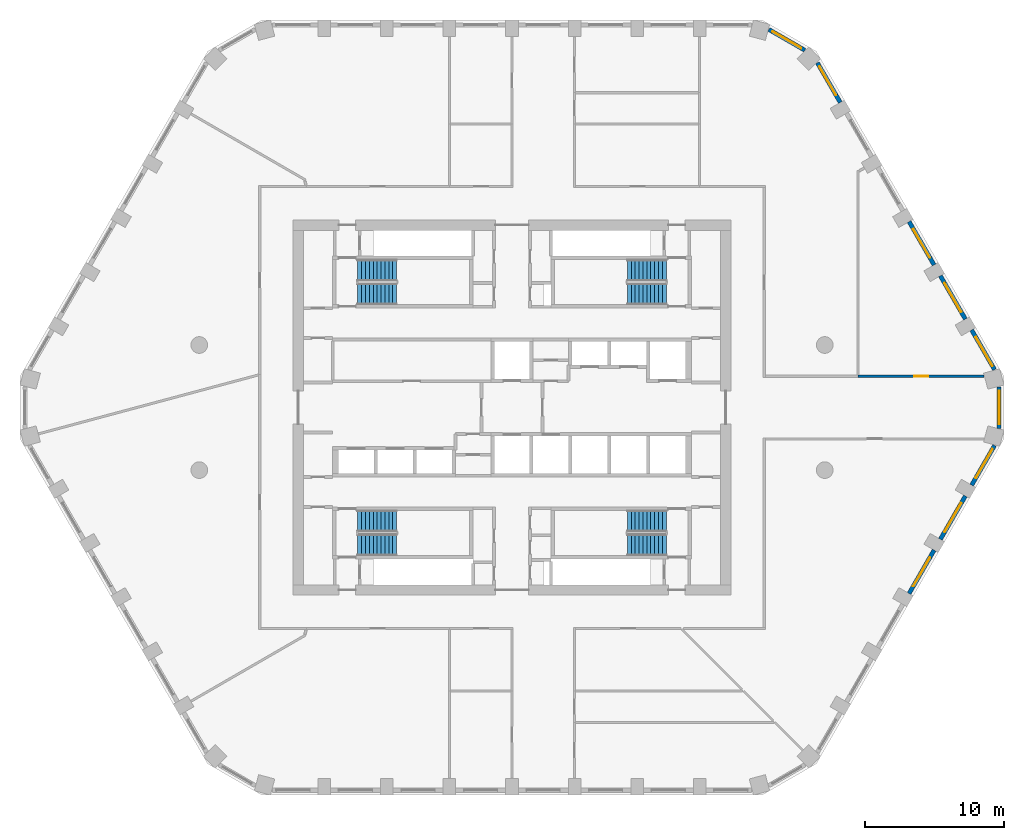
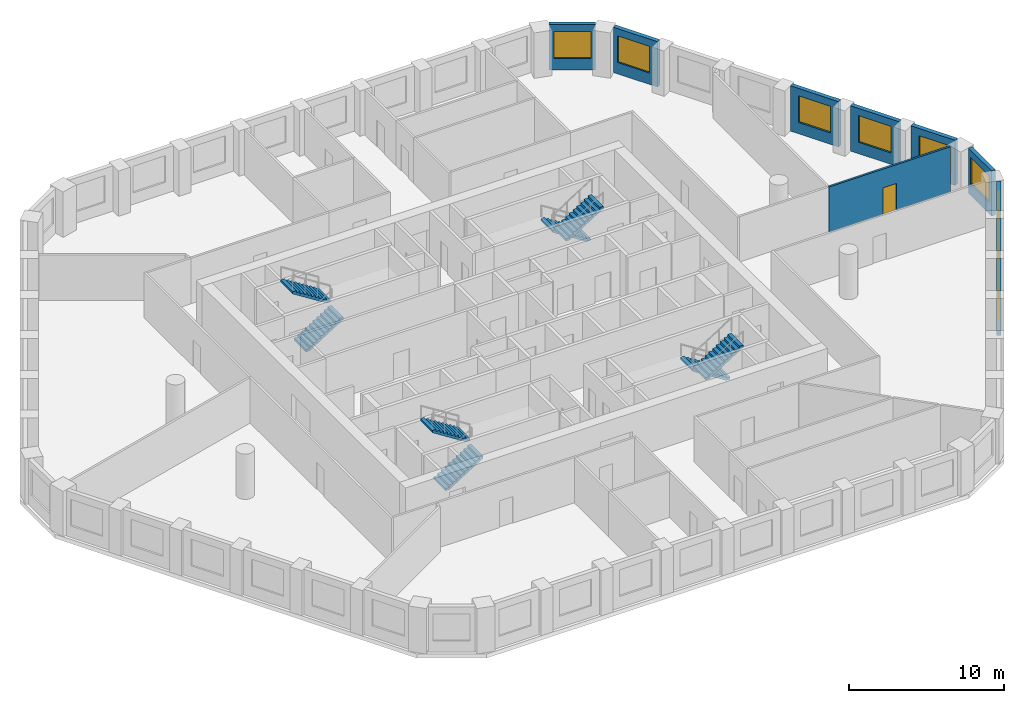
# One storey, part 8 of 9: 10 walls, 9 windows, 8 stair flights, 1 door, 10 openings, 4 elements without a shape of their own.
"""IFC4 building model written with IfcOpenShell, lengths in metres."""

from ifc_helpers import new_model, si_unit, direction, frame, frame_2d, origin, place, context, subcontext, project, spatial, polyline, rectangle, outline, extrude, material, layer, layer_set, type_object, element, fill, aggregate, save


model = new_model("IFC4")

# Units and contexts
model_context = context("Model", 3, precision=1e-05, world=origin(), true_north=direction((0.0, 1.0)))
body_context = subcontext(model_context, "Body", "Model", "MODEL_VIEW")
ifc_project = project(units=[si_unit("LENGTHUNIT", "METRE"), si_unit("AREAUNIT", "SQUARE_METRE"), si_unit("VOLUMEUNIT", "CUBIC_METRE"), si_unit("PLANEANGLEUNIT", "RADIAN"), si_unit("MASSUNIT", "GRAM", prefix="KILO")], contexts=[model_context])

# Site, building, storey
site_placement = place(None, origin())
site = spatial("IfcSite", under=ifc_project, at=site_placement, CompositionType="ELEMENT")
building_placement = place(site_placement, origin())
building = spatial("IfcBuilding", under=site, at=building_placement, Name="Dhurran Vertical Campus", CompositionType="ELEMENT")
storey_placement = place(building_placement, frame((0.0, 0.0, 171.60009765625)))
storey = spatial("IfcBuildingStorey", under=building, at=storey_placement, Name="L42", CompositionType="ELEMENT", Elevation=171.60009765625)

# Wall, opening, window
ifc_material_1 = material(Name="Precast concrete C50/60", Category="concrete")
ifc_layer_1 = layer(ifc_material_1, 0.300048828125)
ifc_layer_set_1 = layer_set([ifc_layer_1], Name="Precast concrete C50/60")
wall_type_1 = type_object("IfcWallType", Name="Precast spandrel wall 300", PredefinedType="SOLIDWALL", material=ifc_layer_set_1)
wall_1_placement = place(storey_placement, frame((28.5693359375, -13.376220703125, 0.0), z_axis=(0.0, 0.0, 1.0), x_axis=(0.500027802648, 0.866009351323, 0.0)))
wall_1 = element("IfcWall", 1, at=wall_1_placement, inside=storey, type_object=wall_type_1, Name="EW1 L42.12", PredefinedType="SOLIDWALL", context=body_context, shape_type="SweptSolid", body=[
    extrude(rectangle(XDim=3.598876953125, YDim=0.300048828125, at=frame_2d((1.79931640625, 0.0))), origin(), (0.0, 0.0, 1.0), 3.574951171875),
])
opening_1_placement = place(wall_1_placement, frame((0.599609375, 0.0, 0.89990234375)))
opening_1 = element("IfcOpeningElement", 2, at=opening_1_placement, cuts=wall_1, Name="Opening WT1", PredefinedType="OPENING", context=body_context, shape_type="SweptSolid", body=[
    extrude(rectangle(XDim=2.39990234375, YDim=2.10009765625, at=frame_2d((1.199951171875, 1.050048828125))), frame((0.0, 0.159912109375, 0.0), z_axis=(0.0, -1.0, 0.0), x_axis=(1.0, 0.0, 0.0)), (0.0, 0.0, 1.0), 0.320068359375),
])
ifc_material_2 = material(Name="Aluminium frame with solar-control glass", Category="aluminium")
window_type = type_object("IfcWindowType", Name="Punched window 2400 x 2100", PartitioningType="SINGLE_PANEL", PredefinedType="WINDOW", material=ifc_material_2)
window_1_placement = place(opening_1_placement, origin())
window_1 = element("IfcWindow", 3, at=window_1_placement, inside=storey, type_object=window_type, Name="WT1 L42.12", OverallHeight=2.10009765625, OverallWidth=2.39990234375, PartitioningType="SINGLE_PANEL", PredefinedType="WINDOW", context=body_context, shape_type="SweptSolid", body=[
    extrude(rectangle(XDim=2.39990234375, YDim=2.10009765625, at=frame_2d((1.199951171875, 1.050048828125))), frame((0.0, 0.030029296875, 0.0), z_axis=(0.0, -1.0, 0.0), x_axis=(1.0, 0.0, 0.0)), (0.0, 0.0, 1.0), 0.06005859375),
])
fill(opening_1, window_1)

wall_2_placement = place(storey_placement, frame((30.8193359375, -9.47900390625, 0.0), z_axis=(0.0, 0.0, 1.0), x_axis=(0.500027802648, 0.866009351323, 0.0)))
wall_2 = element("IfcWall", 4, at=wall_2_placement, inside=storey, type_object=wall_type_1, Name="EW1 L42.13", PredefinedType="SOLIDWALL", context=body_context, shape_type="SweptSolid", body=[
    extrude(rectangle(XDim=3.598876953125, YDim=0.300048828125, at=frame_2d((1.79931640625, 0.0))), origin(), (0.0, 0.0, 1.0), 3.574951171875),
])
opening_2_placement = place(wall_2_placement, frame((0.599609375, 0.0, 0.89990234375)))
opening_2 = element("IfcOpeningElement", 5, at=opening_2_placement, cuts=wall_2, Name="Opening WT1", PredefinedType="OPENING", context=body_context, shape_type="SweptSolid", body=[
    extrude(rectangle(XDim=2.39990234375, YDim=2.10009765625, at=frame_2d((1.199951171875, 1.050048828125))), frame((0.0, 0.159912109375, 0.0), z_axis=(0.0, -1.0, 0.0), x_axis=(1.0, 0.0, 0.0)), (0.0, 0.0, 1.0), 0.320068359375),
])
window_2_placement = place(opening_2_placement, origin())
window_2 = element("IfcWindow", 6, at=window_2_placement, inside=storey, type_object=window_type, Name="WT1 L42.13", OverallHeight=2.10009765625, OverallWidth=2.39990234375, PartitioningType="SINGLE_PANEL", PredefinedType="WINDOW", context=body_context, shape_type="SweptSolid", body=[
    extrude(rectangle(XDim=2.39990234375, YDim=2.10009765625, at=frame_2d((1.199951171875, 1.050048828125))), frame((0.0, 0.030029296875, 0.0), z_axis=(0.0, -1.0, 0.0), x_axis=(1.0, 0.0, 0.0)), (0.0, 0.0, 1.0), 0.06005859375),
])
fill(opening_2, window_2)

wall_3_placement = place(storey_placement, frame((33.0693359375, -5.58203125, 0.0), z_axis=(0.0, 0.0, 1.0), x_axis=(0.499981217486, 0.866036247602, 0.0)))
wall_3 = element("IfcWall", 7, at=wall_3_placement, inside=storey, type_object=wall_type_1, Name="EW1 L42.14", PredefinedType="SOLIDWALL", context=body_context, shape_type="SweptSolid", body=[
    extrude(rectangle(XDim=3.294189453125, YDim=0.300048828125, at=frame_2d((1.64697265625, 0.0))), origin(), (0.0, 0.0, 1.0), 3.574951171875),
])
opening_3_placement = place(wall_3_placement, frame((0.599609375, 0.0, 0.89990234375)))
opening_3 = element("IfcOpeningElement", 8, at=opening_3_placement, cuts=wall_3, Name="Opening WT1", PredefinedType="OPENING", context=body_context, shape_type="SweptSolid", body=[
    extrude(rectangle(XDim=2.39990234375, YDim=2.10009765625, at=frame_2d((1.199951171875, 1.050048828125))), frame((0.0, 0.159912109375, 0.0), z_axis=(0.0, -1.0, 0.0), x_axis=(1.0, 0.0, 0.0)), (0.0, 0.0, 1.0), 0.320068359375),
])
window_3_placement = place(opening_3_placement, origin())
window_3 = element("IfcWindow", 9, at=window_3_placement, inside=storey, type_object=window_type, Name="WT1 L42.14", OverallHeight=2.10009765625, OverallWidth=2.39990234375, PartitioningType="SINGLE_PANEL", PredefinedType="WINDOW", context=body_context, shape_type="SweptSolid", body=[
    extrude(rectangle(XDim=2.39990234375, YDim=2.10009765625, at=frame_2d((1.199951171875, 1.050048828125))), frame((0.0, 0.030029296875, 0.0), z_axis=(0.0, -1.0, 0.0), x_axis=(1.0, 0.0, 0.0)), (0.0, 0.0, 1.0), 0.06005859375),
])
fill(opening_3, window_3)

wall_4_placement = place(storey_placement, frame((35.047119140625, -1.49462890625, 0.0), z_axis=(0.0, 0.0, 1.0), x_axis=(0.0, 1.0, 0.0)))
wall_4 = element("IfcWall", 10, at=wall_4_placement, inside=storey, type_object=wall_type_1, Name="EW1 L42.15", PredefinedType="SOLIDWALL", context=body_context, shape_type="SweptSolid", body=[
    extrude(rectangle(XDim=2.9892578125, YDim=0.300048828125, at=frame_2d((1.49462890625, 0.0))), origin(), (0.0, 0.0, 1.0), 3.574951171875),
])
opening_4_placement = place(wall_4_placement, frame((0.294677734375, 0.0, 0.89990234375)))
opening_4 = element("IfcOpeningElement", 11, at=opening_4_placement, cuts=wall_4, Name="Opening WT1", PredefinedType="OPENING", context=body_context, shape_type="SweptSolid", body=[
    extrude(rectangle(XDim=2.39990234375, YDim=2.10009765625, at=frame_2d((1.199951171875, 1.050048828125))), frame((0.0, 0.159912109375, 0.0), z_axis=(0.0, -1.0, 0.0), x_axis=(1.0, 0.0, 0.0)), (0.0, 0.0, 1.0), 0.320068359375),
])
window_4_placement = place(opening_4_placement, origin())
window_4 = element("IfcWindow", 12, at=window_4_placement, inside=storey, type_object=window_type, Name="WT1 L42.15", OverallHeight=2.10009765625, OverallWidth=2.39990234375, PartitioningType="SINGLE_PANEL", PredefinedType="WINDOW", context=body_context, shape_type="SweptSolid", body=[
    extrude(rectangle(XDim=2.39990234375, YDim=2.10009765625, at=frame_2d((1.199951171875, 1.050048828125))), frame((0.0, 0.030029296875, 0.0), z_axis=(0.0, -1.0, 0.0), x_axis=(1.0, 0.0, 0.0)), (0.0, 0.0, 1.0), 0.06005859375),
])
fill(opening_4, window_4)

wall_5_placement = place(storey_placement, frame((34.71630859375, 2.729248046875, 0.0), z_axis=(0.0, 0.0, 1.0), x_axis=(-0.499981217486, 0.866036247602, 0.0)))
wall_5 = element("IfcWall", 13, at=wall_5_placement, inside=storey, type_object=wall_type_1, Name="EW1 L42.16", PredefinedType="SOLIDWALL", context=body_context, shape_type="SweptSolid", body=[
    extrude(rectangle(XDim=3.294189453125, YDim=0.300048828125, at=frame_2d((1.64697265625, 0.0))), origin(), (0.0, 0.0, 1.0), 3.574951171875),
])
opening_5_placement = place(wall_5_placement, frame((0.294677734375, 0.0, 0.89990234375)))
opening_5 = element("IfcOpeningElement", 14, at=opening_5_placement, cuts=wall_5, Name="Opening WT1", PredefinedType="OPENING", context=body_context, shape_type="SweptSolid", body=[
    extrude(rectangle(XDim=2.39990234375, YDim=2.10009765625, at=frame_2d((1.199951171875, 1.050048828125))), frame((0.0, 0.159912109375, 0.0), z_axis=(0.0, -1.0, 0.0), x_axis=(1.0, 0.0, 0.0)), (0.0, 0.0, 1.0), 0.320068359375),
])
window_5_placement = place(opening_5_placement, origin())
window_5 = element("IfcWindow", 15, at=window_5_placement, inside=storey, type_object=window_type, Name="WT1 L42.16", OverallHeight=2.10009765625, OverallWidth=2.39990234375, PartitioningType="SINGLE_PANEL", PredefinedType="WINDOW", context=body_context, shape_type="SweptSolid", body=[
    extrude(rectangle(XDim=2.39990234375, YDim=2.10009765625, at=frame_2d((1.199951171875, 1.050048828125))), frame((0.0, 0.030029296875, 0.0), z_axis=(0.0, -1.0, 0.0), x_axis=(1.0, 0.0, 0.0)), (0.0, 0.0, 1.0), 0.06005859375),
])
fill(opening_5, window_5)

wall_6_placement = place(storey_placement, frame((32.618896484375, 6.3623046875, 0.0), z_axis=(0.0, 0.0, 1.0), x_axis=(-0.500027802648, 0.866009351323, 0.0)))
wall_6 = element("IfcWall", 16, at=wall_6_placement, inside=storey, type_object=wall_type_1, Name="EW1 L42.17", PredefinedType="SOLIDWALL", context=body_context, shape_type="SweptSolid", body=[
    extrude(rectangle(XDim=3.598876953125, YDim=0.300048828125, at=frame_2d((1.79931640625, 0.0))), origin(), (0.0, 0.0, 1.0), 3.574951171875),
])
opening_6_placement = place(wall_6_placement, frame((0.599609375, 0.0, 0.89990234375)))
opening_6 = element("IfcOpeningElement", 17, at=opening_6_placement, cuts=wall_6, Name="Opening WT1", PredefinedType="OPENING", context=body_context, shape_type="SweptSolid", body=[
    extrude(rectangle(XDim=2.39990234375, YDim=2.10009765625, at=frame_2d((1.199951171875, 1.050048828125))), frame((0.0, 0.159912109375, 0.0), z_axis=(0.0, -1.0, 0.0), x_axis=(1.0, 0.0, 0.0)), (0.0, 0.0, 1.0), 0.320068359375),
])
window_6_placement = place(opening_6_placement, origin())
window_6 = element("IfcWindow", 18, at=window_6_placement, inside=storey, type_object=window_type, Name="WT1 L42.17", OverallHeight=2.10009765625, OverallWidth=2.39990234375, PartitioningType="SINGLE_PANEL", PredefinedType="WINDOW", context=body_context, shape_type="SweptSolid", body=[
    extrude(rectangle(XDim=2.39990234375, YDim=2.10009765625, at=frame_2d((1.199951171875, 1.050048828125))), frame((0.0, 0.030029296875, 0.0), z_axis=(0.0, -1.0, 0.0), x_axis=(1.0, 0.0, 0.0)), (0.0, 0.0, 1.0), 0.06005859375),
])
fill(opening_6, window_6)

wall_7_placement = place(storey_placement, frame((30.368896484375, 10.259521484375, 0.0), z_axis=(0.0, 0.0, 1.0), x_axis=(-0.500027802648, 0.866009351323, 0.0)))
wall_7 = element("IfcWall", 19, at=wall_7_placement, inside=storey, type_object=wall_type_1, Name="EW1 L42.18", PredefinedType="SOLIDWALL", context=body_context, shape_type="SweptSolid", body=[
    extrude(rectangle(XDim=3.598876953125, YDim=0.300048828125, at=frame_2d((1.79931640625, 0.0))), origin(), (0.0, 0.0, 1.0), 3.574951171875),
])
opening_7_placement = place(wall_7_placement, frame((0.599609375, 0.0, 0.89990234375)))
opening_7 = element("IfcOpeningElement", 20, at=opening_7_placement, cuts=wall_7, Name="Opening WT1", PredefinedType="OPENING", context=body_context, shape_type="SweptSolid", body=[
    extrude(rectangle(XDim=2.39990234375, YDim=2.10009765625, at=frame_2d((1.199951171875, 1.050048828125))), frame((0.0, 0.159912109375, 0.0), z_axis=(0.0, -1.0, 0.0), x_axis=(1.0, 0.0, 0.0)), (0.0, 0.0, 1.0), 0.320068359375),
])
window_7_placement = place(opening_7_placement, origin())
window_7 = element("IfcWindow", 21, at=window_7_placement, inside=storey, type_object=window_type, Name="WT1 L42.18", OverallHeight=2.10009765625, OverallWidth=2.39990234375, PartitioningType="SINGLE_PANEL", PredefinedType="WINDOW", context=body_context, shape_type="SweptSolid", body=[
    extrude(rectangle(XDim=2.39990234375, YDim=2.10009765625, at=frame_2d((1.199951171875, 1.050048828125))), frame((0.0, 0.030029296875, 0.0), z_axis=(0.0, -1.0, 0.0), x_axis=(1.0, 0.0, 0.0)), (0.0, 0.0, 1.0), 0.06005859375),
])
fill(opening_7, window_7)

wall_8_placement = place(storey_placement, frame((23.618896484375, 21.95068359375, 0.0), z_axis=(0.0, 0.0, 1.0), x_axis=(-0.500036802197, 0.866004154983, 0.0)))
wall_8 = element("IfcWall", 22, at=wall_8_placement, inside=storey, type_object=wall_type_1, Name="EW1 L42.21", PredefinedType="SOLIDWALL", context=body_context, shape_type="SweptSolid", body=[
    extrude(rectangle(XDim=3.294189453125, YDim=0.300048828125, at=frame_2d((1.64697265625, 0.0))), origin(), (0.0, 0.0, 1.0), 3.574951171875),
])
opening_8_placement = place(wall_8_placement, frame((0.599609375, 0.0, 0.89990234375)))
opening_8 = element("IfcOpeningElement", 23, at=opening_8_placement, cuts=wall_8, Name="Opening WT1", PredefinedType="OPENING", context=body_context, shape_type="SweptSolid", body=[
    extrude(rectangle(XDim=2.39990234375, YDim=2.10009765625, at=frame_2d((1.199951171875, 1.050048828125))), frame((0.0, 0.159912109375, 0.0), z_axis=(0.0, -1.0, 0.0), x_axis=(1.0, 0.0, 0.0)), (0.0, 0.0, 1.0), 0.320068359375),
])
window_8_placement = place(opening_8_placement, origin())
window_8 = element("IfcWindow", 24, at=window_8_placement, inside=storey, type_object=window_type, Name="WT1 L42.21", OverallHeight=2.10009765625, OverallWidth=2.39990234375, PartitioningType="SINGLE_PANEL", PredefinedType="WINDOW", context=body_context, shape_type="SweptSolid", body=[
    extrude(rectangle(XDim=2.39990234375, YDim=2.10009765625, at=frame_2d((1.199951171875, 1.050048828125))), frame((0.0, 0.030029296875, 0.0), z_axis=(0.0, -1.0, 0.0), x_axis=(1.0, 0.0, 0.0)), (0.0, 0.0, 1.0), 0.06005859375),
])
fill(opening_8, window_8)

wall_9_placement = place(storey_placement, frame((21.06787109375, 25.707275390625, 0.0), z_axis=(0.0, 0.0, 1.0), x_axis=(-0.866012844897, 0.500021752, 0.0)))
wall_9 = element("IfcWall", 25, at=wall_9_placement, inside=storey, type_object=wall_type_1, Name="EW1 L42.22", PredefinedType="SOLIDWALL", context=body_context, shape_type="SweptSolid", body=[
    extrude(rectangle(XDim=2.989013671875, YDim=0.300048828125, at=frame_2d((1.49462890625, 0.0))), origin(), (0.0, 0.0, 1.0), 3.574951171875),
])
opening_9_placement = place(wall_9_placement, frame((0.294677734375, 0.0, 0.89990234375)))
opening_9 = element("IfcOpeningElement", 26, at=opening_9_placement, cuts=wall_9, Name="Opening WT1", PredefinedType="OPENING", context=body_context, shape_type="SweptSolid", body=[
    extrude(rectangle(XDim=2.39990234375, YDim=2.10009765625, at=frame_2d((1.199951171875, 1.050048828125))), frame((0.0, 0.159912109375, 0.0), z_axis=(0.0, -1.0, 0.0), x_axis=(1.0, 0.0, 0.0)), (0.0, 0.0, 1.0), 0.320068359375),
])
window_9_placement = place(opening_9_placement, origin())
window_9 = element("IfcWindow", 27, at=window_9_placement, inside=storey, type_object=window_type, Name="WT1 L42.22", OverallHeight=2.10009765625, OverallWidth=2.39990234375, PartitioningType="SINGLE_PANEL", PredefinedType="WINDOW", context=body_context, shape_type="SweptSolid", body=[
    extrude(rectangle(XDim=2.39990234375, YDim=2.10009765625, at=frame_2d((1.199951171875, 1.050048828125))), frame((0.0, 0.030029296875, 0.0), z_axis=(0.0, -1.0, 0.0), x_axis=(1.0, 0.0, 0.0)), (0.0, 0.0, 1.0), 0.06005859375),
])
fill(opening_9, window_9)

# Wall, opening, door
ifc_material_3 = material(Name="Gypsum board corridor wall on steel studs", Category="steel")
ifc_layer_2 = layer(ifc_material_3, 0.14990234375)
ifc_layer_set_2 = layer_set([ifc_layer_2], Name="Gypsum board corridor wall on steel studs")
wall_type_2 = type_object("IfcWallType", Name="fl-CW-150 corridor wall", PredefinedType="PARTITIONING", material=ifc_layer_set_2)
wall_10_placement = place(storey_placement, frame((24.89990234375, 2.25, 0.0), z_axis=(0.0, 0.0, 1.0), x_axis=(1.0, 0.0, 0.0)))
wall_10 = element("IfcWall", 28, at=wall_10_placement, inside=storey, type_object=wall_type_2, Name="Partition 42-49", PredefinedType="PARTITIONING", context=body_context, shape_type="SweptSolid", body=[
    extrude(rectangle(XDim=9.06787109375, YDim=0.14990234375, at=frame_2d((4.533935546875, 0.0))), origin(), (0.0, 0.0, 1.0), 3.574951171875),
])
opening_10_placement = place(wall_10_placement, frame((4.033935546875, 0.0, 0.0)))
opening_10 = element("IfcOpeningElement", 29, at=opening_10_placement, cuts=wall_10, Name="Opening T12.17", PredefinedType="OPENING", context=body_context, shape_type="SweptSolid", body=[
    extrude(rectangle(XDim=1.0, YDim=2.10009765625, at=frame_2d((0.5, 1.050048828125))), frame((0.0, 0.0849609375, 0.0), z_axis=(0.0, -1.0, 0.0), x_axis=(1.0, 0.0, 0.0)), (0.0, 0.0, 1.0), 0.169921875),
])
ifc_material_4 = material(Name="Solid-core timber door set, fire-rated", Category="wood")
door_type = type_object("IfcDoorType", Name="fl-D-1000x2100", OperationType="SINGLE_SWING_LEFT", PredefinedType="DOOR", material=ifc_material_4)
door_placement = place(opening_10_placement, origin())
door = element("IfcDoor", 30, at=door_placement, inside=storey, type_object=door_type, Name="Door 42.17", OperationType="SINGLE_SWING_RIGHT", OverallHeight=2.10009765625, OverallWidth=1.0, PredefinedType="DOOR", context=body_context, shape_type="SweptSolid", body=[
    extrude(rectangle(XDim=1.0, YDim=2.10009765625, at=frame_2d((0.5, 1.050048828125))), frame((0.0, 0.02490234375, 0.0), z_axis=(0.0, -1.0, 0.0), x_axis=(1.0, 0.0, 0.0)), (0.0, 0.0, 1.0), 0.050048828125),
])
fill(opening_10, door)

# Stair, stair flights
ifc_material_5 = material(Name="Concrete C40/50", Category="concrete")
stair_type = type_object("IfcStairType", Name="co-ST-CORE", PredefinedType="HALF_TURN_STAIR", material=ifc_material_5)
stair_1_placement = place(storey_placement, origin())
stair_1 = element("IfcStair", 31, at=stair_1_placement, inside=storey, type_object=stair_type, Name="L42 Protected exit stair ST1", PredefinedType="HALF_TURN_STAIR")
ifc_material_6 = material(Name="Concrete C40/50", Category="concrete")
stair_flight_type = type_object("IfcStairFlightType", Name="co-SFL-RC", PredefinedType="STRAIGHT", material=ifc_material_6)
stair_flight_1_placement = place(storey_placement, frame((-11.10009765625, 8.175048828125, 0.0), z_axis=(0.0, 0.0, 1.0), x_axis=(1.0, 0.0, 0.0)))
stair_flight_1 = element("IfcStairFlight", 32, at=stair_flight_1_placement, type_object=stair_flight_type, Name="ST1 flight 1", NumberOfRisers=11, NumberOfTreads=10, PredefinedType="STRAIGHT", RiserHeight=0.177272727, TreadLength=0.28, context=body_context, shape_type="SweptSolid", body=[
    extrude(outline(polyline([(0.0, 0.0), (0.0, 0.17724609375), (0.280029296875, 0.17724609375), (0.280029296875, 0.3544921875), (0.56005859375, 0.3544921875), (0.56005859375, 0.53173828125), (0.840087890625, 0.53173828125), (0.840087890625, 0.708984375), (1.1201171875, 0.708984375), (1.1201171875, 0.886474609375), (1.39990234375, 0.886474609375), (1.39990234375, 1.063720703125), (1.679931640625, 1.063720703125), (1.679931640625, 1.240966796875), (1.9599609375, 1.240966796875), (1.9599609375, 1.418212890625), (2.239990234375, 1.418212890625), (2.239990234375, 1.595458984375), (2.52001953125, 1.595458984375), (2.52001953125, 1.772705078125), (2.800048828125, 1.772705078125), (2.800048828125, 1.949951171875), (2.800048828125, 1.59521484375), (0.2802734375, 0.0), (0.0, 0.0)])), frame((0.0, 0.77490234375, 0.0), z_axis=(0.0, -1.0, 0.0), x_axis=(1.0, 0.0, 0.0)), (0.0, 0.0, 1.0), 1.550048828125),
])
stair_flight_2_placement = place(storey_placement, frame((-8.300048828125, 9.875, 1.949951171875), z_axis=(0.0, 0.0, 1.0), x_axis=(-1.0, 0.0, 0.0)))
stair_flight_2 = element("IfcStairFlight", 33, at=stair_flight_2_placement, type_object=stair_flight_type, Name="ST1 flight 2", NumberOfRisers=11, NumberOfTreads=10, PredefinedType="STRAIGHT", RiserHeight=0.177272727, TreadLength=0.28, context=body_context, shape_type="SweptSolid", body=[
    extrude(outline(polyline([(0.0, 0.0), (0.0, 0.17724609375), (0.280029296875, 0.17724609375), (0.280029296875, 0.3544921875), (0.56005859375, 0.3544921875), (0.56005859375, 0.53173828125), (0.840087890625, 0.53173828125), (0.840087890625, 0.708984375), (1.1201171875, 0.708984375), (1.1201171875, 0.886474609375), (1.39990234375, 0.886474609375), (1.39990234375, 1.063720703125), (1.679931640625, 1.063720703125), (1.679931640625, 1.240966796875), (1.9599609375, 1.240966796875), (1.9599609375, 1.418212890625), (2.239990234375, 1.418212890625), (2.239990234375, 1.595458984375), (2.52001953125, 1.595458984375), (2.52001953125, 1.772705078125), (2.800048828125, 1.772705078125), (2.800048828125, 1.949951171875), (2.800048828125, 1.59521484375), (0.2802734375, 0.0), (0.0, 0.0)])), frame((0.0, 0.77490234375, 0.0), z_axis=(0.0, -1.0, 0.0), x_axis=(1.0, 0.0, 0.0)), (0.0, 0.0, 1.0), 1.550048828125),
])
aggregate(stair_1, [stair_flight_1, stair_flight_2])

stair_2_placement = place(storey_placement, origin())
stair_2 = element("IfcStair", 34, at=stair_2_placement, inside=storey, type_object=stair_type, Name="L42 Protected exit stair ST2", PredefinedType="HALF_TURN_STAIR")
stair_flight_3_placement = place(storey_placement, frame((11.10009765625, 9.875, 0.0), z_axis=(0.0, 0.0, 1.0), x_axis=(-1.0, 0.0, 0.0)))
stair_flight_3 = element("IfcStairFlight", 35, at=stair_flight_3_placement, type_object=stair_flight_type, Name="ST2 flight 1", NumberOfRisers=11, NumberOfTreads=10, PredefinedType="STRAIGHT", RiserHeight=0.177272727, TreadLength=0.28, context=body_context, shape_type="SweptSolid", body=[
    extrude(outline(polyline([(0.0, 0.0), (0.0, 0.17724609375), (0.280029296875, 0.17724609375), (0.280029296875, 0.3544921875), (0.56005859375, 0.3544921875), (0.56005859375, 0.53173828125), (0.840087890625, 0.53173828125), (0.840087890625, 0.708984375), (1.1201171875, 0.708984375), (1.1201171875, 0.886474609375), (1.39990234375, 0.886474609375), (1.39990234375, 1.063720703125), (1.679931640625, 1.063720703125), (1.679931640625, 1.240966796875), (1.9599609375, 1.240966796875), (1.9599609375, 1.418212890625), (2.239990234375, 1.418212890625), (2.239990234375, 1.595458984375), (2.52001953125, 1.595458984375), (2.52001953125, 1.772705078125), (2.800048828125, 1.772705078125), (2.800048828125, 1.949951171875), (2.800048828125, 1.59521484375), (0.2802734375, 0.0), (0.0, 0.0)])), frame((0.0, 0.77490234375, 0.0), z_axis=(0.0, -1.0, 0.0), x_axis=(1.0, 0.0, 0.0)), (0.0, 0.0, 1.0), 1.550048828125),
])
stair_flight_4_placement = place(storey_placement, frame((8.300048828125, 8.175048828125, 1.949951171875), z_axis=(0.0, 0.0, 1.0), x_axis=(1.0, 0.0, 0.0)))
stair_flight_4 = element("IfcStairFlight", 36, at=stair_flight_4_placement, type_object=stair_flight_type, Name="ST2 flight 2", NumberOfRisers=11, NumberOfTreads=10, PredefinedType="STRAIGHT", RiserHeight=0.177272727, TreadLength=0.28, context=body_context, shape_type="SweptSolid", body=[
    extrude(outline(polyline([(0.0, 0.0), (0.0, 0.17724609375), (0.280029296875, 0.17724609375), (0.280029296875, 0.3544921875), (0.56005859375, 0.3544921875), (0.56005859375, 0.53173828125), (0.840087890625, 0.53173828125), (0.840087890625, 0.708984375), (1.1201171875, 0.708984375), (1.1201171875, 0.886474609375), (1.39990234375, 0.886474609375), (1.39990234375, 1.063720703125), (1.679931640625, 1.063720703125), (1.679931640625, 1.240966796875), (1.9599609375, 1.240966796875), (1.9599609375, 1.418212890625), (2.239990234375, 1.418212890625), (2.239990234375, 1.595458984375), (2.52001953125, 1.595458984375), (2.52001953125, 1.772705078125), (2.800048828125, 1.772705078125), (2.800048828125, 1.949951171875), (2.800048828125, 1.59521484375), (0.2802734375, 0.0), (0.0, 0.0)])), frame((0.0, 0.77490234375, 0.0), z_axis=(0.0, -1.0, 0.0), x_axis=(1.0, 0.0, 0.0)), (0.0, 0.0, 1.0), 1.550048828125),
])
aggregate(stair_2, [stair_flight_3, stair_flight_4])

stair_3_placement = place(storey_placement, origin())
stair_3 = element("IfcStair", 37, at=stair_3_placement, inside=storey, type_object=stair_type, Name="L42 Protected exit stair ST3", PredefinedType="HALF_TURN_STAIR")
stair_flight_5_placement = place(storey_placement, frame((-11.10009765625, -9.875, 0.0), z_axis=(0.0, 0.0, 1.0), x_axis=(1.0, 0.0, 0.0)))
stair_flight_5 = element("IfcStairFlight", 38, at=stair_flight_5_placement, type_object=stair_flight_type, Name="ST3 flight 1", NumberOfRisers=11, NumberOfTreads=10, PredefinedType="STRAIGHT", RiserHeight=0.177272727, TreadLength=0.28, context=body_context, shape_type="SweptSolid", body=[
    extrude(outline(polyline([(0.0, 0.0), (0.0, 0.17724609375), (0.280029296875, 0.17724609375), (0.280029296875, 0.3544921875), (0.56005859375, 0.3544921875), (0.56005859375, 0.53173828125), (0.840087890625, 0.53173828125), (0.840087890625, 0.708984375), (1.1201171875, 0.708984375), (1.1201171875, 0.886474609375), (1.39990234375, 0.886474609375), (1.39990234375, 1.063720703125), (1.679931640625, 1.063720703125), (1.679931640625, 1.240966796875), (1.9599609375, 1.240966796875), (1.9599609375, 1.418212890625), (2.239990234375, 1.418212890625), (2.239990234375, 1.595458984375), (2.52001953125, 1.595458984375), (2.52001953125, 1.772705078125), (2.800048828125, 1.772705078125), (2.800048828125, 1.949951171875), (2.800048828125, 1.59521484375), (0.2802734375, 0.0), (0.0, 0.0)])), frame((0.0, 0.77490234375, 0.0), z_axis=(0.0, -1.0, 0.0), x_axis=(1.0, 0.0, 0.0)), (0.0, 0.0, 1.0), 1.550048828125),
])
stair_flight_6_placement = place(storey_placement, frame((-8.300048828125, -8.175048828125, 1.949951171875), z_axis=(0.0, 0.0, 1.0), x_axis=(-1.0, 0.0, 0.0)))
stair_flight_6 = element("IfcStairFlight", 39, at=stair_flight_6_placement, type_object=stair_flight_type, Name="ST3 flight 2", NumberOfRisers=11, NumberOfTreads=10, PredefinedType="STRAIGHT", RiserHeight=0.177272727, TreadLength=0.28, context=body_context, shape_type="SweptSolid", body=[
    extrude(outline(polyline([(0.0, 0.0), (0.0, 0.17724609375), (0.280029296875, 0.17724609375), (0.280029296875, 0.3544921875), (0.56005859375, 0.3544921875), (0.56005859375, 0.53173828125), (0.840087890625, 0.53173828125), (0.840087890625, 0.708984375), (1.1201171875, 0.708984375), (1.1201171875, 0.886474609375), (1.39990234375, 0.886474609375), (1.39990234375, 1.063720703125), (1.679931640625, 1.063720703125), (1.679931640625, 1.240966796875), (1.9599609375, 1.240966796875), (1.9599609375, 1.418212890625), (2.239990234375, 1.418212890625), (2.239990234375, 1.595458984375), (2.52001953125, 1.595458984375), (2.52001953125, 1.772705078125), (2.800048828125, 1.772705078125), (2.800048828125, 1.949951171875), (2.800048828125, 1.59521484375), (0.2802734375, 0.0), (0.0, 0.0)])), frame((0.0, 0.77490234375, 0.0), z_axis=(0.0, -1.0, 0.0), x_axis=(1.0, 0.0, 0.0)), (0.0, 0.0, 1.0), 1.550048828125),
])
aggregate(stair_3, [stair_flight_5, stair_flight_6])

stair_4_placement = place(storey_placement, origin())
stair_4 = element("IfcStair", 40, at=stair_4_placement, inside=storey, type_object=stair_type, Name="L42 Protected exit stair ST4", PredefinedType="HALF_TURN_STAIR")
stair_flight_7_placement = place(storey_placement, frame((11.10009765625, -8.175048828125, 0.0), z_axis=(0.0, 0.0, 1.0), x_axis=(-1.0, 0.0, 0.0)))
stair_flight_7 = element("IfcStairFlight", 41, at=stair_flight_7_placement, type_object=stair_flight_type, Name="ST4 flight 1", NumberOfRisers=11, NumberOfTreads=10, PredefinedType="STRAIGHT", RiserHeight=0.177272727, TreadLength=0.28, context=body_context, shape_type="SweptSolid", body=[
    extrude(outline(polyline([(0.0, 0.0), (0.0, 0.17724609375), (0.280029296875, 0.17724609375), (0.280029296875, 0.3544921875), (0.56005859375, 0.3544921875), (0.56005859375, 0.53173828125), (0.840087890625, 0.53173828125), (0.840087890625, 0.708984375), (1.1201171875, 0.708984375), (1.1201171875, 0.886474609375), (1.39990234375, 0.886474609375), (1.39990234375, 1.063720703125), (1.679931640625, 1.063720703125), (1.679931640625, 1.240966796875), (1.9599609375, 1.240966796875), (1.9599609375, 1.418212890625), (2.239990234375, 1.418212890625), (2.239990234375, 1.595458984375), (2.52001953125, 1.595458984375), (2.52001953125, 1.772705078125), (2.800048828125, 1.772705078125), (2.800048828125, 1.949951171875), (2.800048828125, 1.59521484375), (0.2802734375, 0.0), (0.0, 0.0)])), frame((0.0, 0.77490234375, 0.0), z_axis=(0.0, -1.0, 0.0), x_axis=(1.0, 0.0, 0.0)), (0.0, 0.0, 1.0), 1.550048828125),
])
stair_flight_8_placement = place(storey_placement, frame((8.300048828125, -9.875, 1.949951171875), z_axis=(0.0, 0.0, 1.0), x_axis=(1.0, 0.0, 0.0)))
stair_flight_8 = element("IfcStairFlight", 42, at=stair_flight_8_placement, type_object=stair_flight_type, Name="ST4 flight 2", NumberOfRisers=11, NumberOfTreads=10, PredefinedType="STRAIGHT", RiserHeight=0.177272727, TreadLength=0.28, context=body_context, shape_type="SweptSolid", body=[
    extrude(outline(polyline([(0.0, 0.0), (0.0, 0.17724609375), (0.280029296875, 0.17724609375), (0.280029296875, 0.3544921875), (0.56005859375, 0.3544921875), (0.56005859375, 0.53173828125), (0.840087890625, 0.53173828125), (0.840087890625, 0.708984375), (1.1201171875, 0.708984375), (1.1201171875, 0.886474609375), (1.39990234375, 0.886474609375), (1.39990234375, 1.063720703125), (1.679931640625, 1.063720703125), (1.679931640625, 1.240966796875), (1.9599609375, 1.240966796875), (1.9599609375, 1.418212890625), (2.239990234375, 1.418212890625), (2.239990234375, 1.595458984375), (2.52001953125, 1.595458984375), (2.52001953125, 1.772705078125), (2.800048828125, 1.772705078125), (2.800048828125, 1.949951171875), (2.800048828125, 1.59521484375), (0.2802734375, 0.0), (0.0, 0.0)])), frame((0.0, 0.77490234375, 0.0), z_axis=(0.0, -1.0, 0.0), x_axis=(1.0, 0.0, 0.0)), (0.0, 0.0, 1.0), 1.550048828125),
])
aggregate(stair_4, [stair_flight_7, stair_flight_8])

save(model, "model.ifc")
